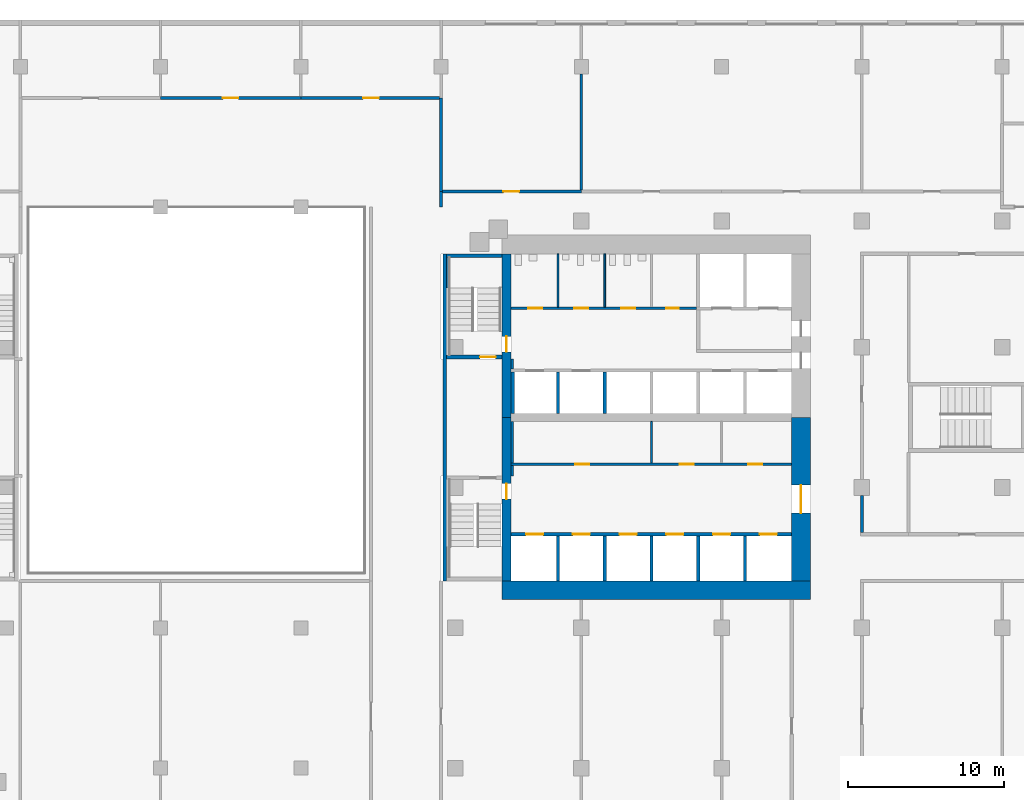
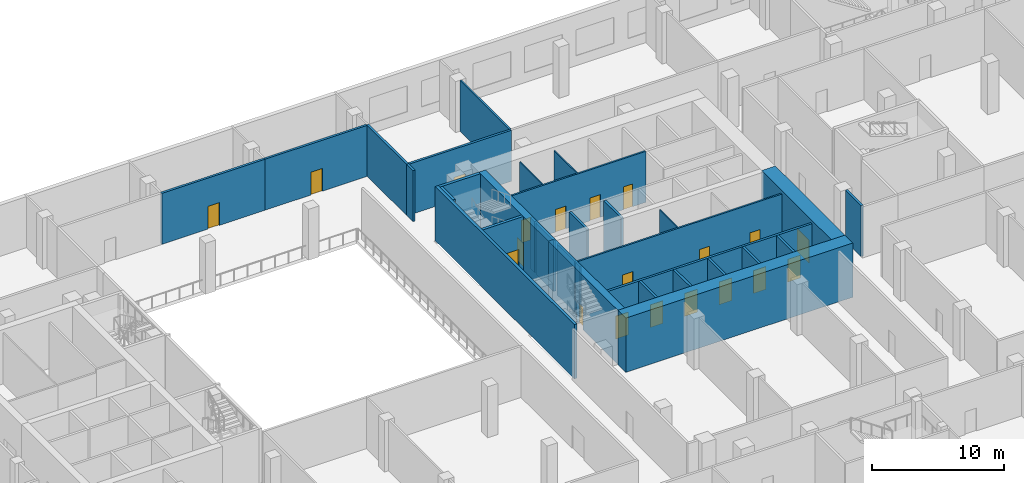
# One storey, part 10 of 21: 32 walls, 20 doors, 20 openings.
"""IFC4 building model written with IfcOpenShell, lengths in metres."""

from ifc_helpers import new_model, si_unit, direction, frame, frame_2d, origin, place, context, subcontext, project, spatial, rectangle, extrude, material, layer, layer_set, type_object, element, fill, save


model = new_model("IFC4")

# Units and contexts
model_context = context("Model", 3, precision=1e-05, world=origin(), true_north=direction((0.0, 1.0)))
body_context = subcontext(model_context, "Body", "Model", "MODEL_VIEW")
ifc_project = project(units=[si_unit("LENGTHUNIT", "METRE"), si_unit("AREAUNIT", "SQUARE_METRE"), si_unit("VOLUMEUNIT", "CUBIC_METRE"), si_unit("PLANEANGLEUNIT", "RADIAN"), si_unit("MASSUNIT", "GRAM", prefix="KILO")], contexts=[model_context])

# Site, building, storey
site_placement = place(None, origin())
site = spatial("IfcSite", under=ifc_project, at=site_placement, CompositionType="ELEMENT")
building_placement = place(site_placement, origin())
building = spatial("IfcBuilding", under=site, at=building_placement, Name="Cinnabar Reach Civic Tower", CompositionType="ELEMENT")
storey_placement = place(building_placement, frame((0.0, 0.0, 16.0)))
storey = spatial("IfcBuildingStorey", under=building, at=storey_placement, Name="L03", CompositionType="ELEMENT", Elevation=16.0)

# Wall
ifc_material_1 = material(Name="Concrete C70", Category="concrete")
ifc_layer_1 = layer(ifc_material_1, 1.2)
ifc_layer_set_1 = layer_set([ifc_layer_1], Name="Core wall 1200 EI 180")
wall_type_1 = type_object("IfcWallType", Name="Core wall 1200 EI 180", PredefinedType="SOLIDWALL", material=ifc_layer_set_1)
wall_1_placement = place(storey_placement, frame((3.9, 20.4, 0.0), z_axis=(0.0, 0.0, 1.0), x_axis=(1.0, 0.0, 0.0)))
element("IfcWall", 1, at=wall_1_placement, inside=storey, type_object=wall_type_1, Name="Core wall T1 L03 S", PredefinedType="SOLIDWALL", context=body_context, shape_type="SweptSolid", body=[
    extrude(rectangle(XDim=19.8, YDim=1.2, at=frame_2d((9.9, 0.0))), origin(), (0.0, 0.0, 1.0), 5.0),
])

# Wall, opening, door
wall_2_placement = place(storey_placement, frame((23.1, 21.0, 0.0), z_axis=(0.0, 0.0, 1.0), x_axis=(0.0, 1.0, 0.0)))
wall_2 = element("IfcWall", 2, at=wall_2_placement, inside=storey, type_object=wall_type_1, Name="Core wall T1 L03 E", PredefinedType="SOLIDWALL", context=body_context, shape_type="SweptSolid", body=[
    extrude(rectangle(XDim=10.5, YDim=1.2, at=frame_2d((5.25, 0.0))), origin(), (0.0, 0.0, 1.0), 5.0),
])
opening_1_placement = place(wall_2_placement, frame((4.35, 0.0, 0.0)))
opening_1 = element("IfcOpeningElement", 3, at=opening_1_placement, cuts=wall_2, Name="Opening D3154", PredefinedType="OPENING", context=body_context, shape_type="SweptSolid", body=[
    extrude(rectangle(XDim=1.8, YDim=2.1, at=frame_2d((0.9, 1.05))), frame((0.0, 0.61, 0.0), z_axis=(0.0, -1.0, 0.0), x_axis=(1.0, 0.0, 0.0)), (0.0, 0.0, 1.0), 1.22),
])
ifc_material_2 = material(Name="Timber door leaf in steel frame", Category="steel")
door_type_1 = type_object("IfcDoorType", Name="Double swing door 1800 x 2100 T1", OperationType="DOUBLE_DOOR_DOUBLE_SWING", PredefinedType="DOOR", material=ifc_material_2)
door_1_placement = place(opening_1_placement, origin())
door_1 = element("IfcDoor", 4, at=door_1_placement, inside=storey, type_object=door_type_1, Name="Door D3154", OperationType="DOUBLE_DOOR_DOUBLE_SWING", OverallHeight=2.1, OverallWidth=1.8, PredefinedType="DOOR", context=body_context, shape_type="SweptSolid", body=[
    extrude(rectangle(XDim=1.8, YDim=2.1, at=frame_2d((0.9, 1.05))), frame((0.0, 0.025, 0.0), z_axis=(0.0, -1.0, 0.0), x_axis=(1.0, 0.0, 0.0)), (0.0, 0.0, 1.0), 0.05),
])
fill(opening_1, door_1)

ifc_layer_2 = layer(ifc_material_1, 0.6)
ifc_layer_set_2 = layer_set([ifc_layer_2], Name="Core wall 600 EI 180")
wall_type_2 = type_object("IfcWallType", Name="Core wall 600 EI 180", PredefinedType="SOLIDWALL", material=ifc_layer_set_2)
wall_3_placement = place(storey_placement, frame((4.2, 42.0, 0.0), z_axis=(0.0, 0.0, 1.0), x_axis=(0.0, -1.0, 0.0)))
wall_3 = element("IfcWall", 5, at=wall_3_placement, inside=storey, type_object=wall_type_2, Name="Core wall T1 L03 W", PredefinedType="SOLIDWALL", context=body_context, shape_type="SweptSolid", body=[
    extrude(rectangle(XDim=10.5, YDim=0.6, at=frame_2d((5.25, 0.0))), origin(), (0.0, 0.0, 1.0), 5.0),
])
opening_2_placement = place(wall_3_placement, frame((5.3, 0.0, 0.0)))
opening_2 = element("IfcOpeningElement", 6, at=opening_2_placement, cuts=wall_3, Name="Opening D3140", PredefinedType="OPENING", context=body_context, shape_type="SweptSolid", body=[
    extrude(rectangle(XDim=1.0, YDim=2.1, at=frame_2d((0.5, 1.05))), frame((0.0, 0.31, 0.0), z_axis=(0.0, -1.0, 0.0), x_axis=(1.0, 0.0, 0.0)), (0.0, 0.0, 1.0), 0.62),
])
door_type_2 = type_object("IfcDoorType", Name="Stair door 1000 x 2100 T1", OperationType="SINGLE_SWING_LEFT", PredefinedType="DOOR", material=ifc_material_2)
door_2_placement = place(opening_2_placement, frame((1.0, 0.0, 0.0), z_axis=(0.0, 0.0, 1.0), x_axis=(-1.0, 0.0, 0.0)))
door_2 = element("IfcDoor", 7, at=door_2_placement, inside=storey, type_object=door_type_2, Name="Door D3140", OperationType="SINGLE_SWING_LEFT", OverallHeight=2.1, OverallWidth=1.0, PredefinedType="DOOR", context=body_context, shape_type="SweptSolid", body=[
    extrude(rectangle(XDim=1.0, YDim=2.1, at=frame_2d((0.5, 1.05))), frame((0.0, 0.025, 0.0), z_axis=(0.0, -1.0, 0.0), x_axis=(1.0, 0.0, 0.0)), (0.0, 0.0, 1.0), 0.05),
])
fill(opening_2, door_2)

wall_4_placement = place(storey_placement, frame((4.2, 31.5, 0.0), z_axis=(0.0, 0.0, 1.0), x_axis=(0.0, -1.0, 0.0)))
wall_4 = element("IfcWall", 8, at=wall_4_placement, inside=storey, type_object=wall_type_2, Name="Core wall T1 L03 W2", PredefinedType="SOLIDWALL", context=body_context, shape_type="SweptSolid", body=[
    extrude(rectangle(XDim=10.5, YDim=0.6, at=frame_2d((5.25, 0.0))), origin(), (0.0, 0.0, 1.0), 5.0),
])
opening_3_placement = place(wall_4_placement, frame((4.25, 0.0, 0.0)))
opening_3 = element("IfcOpeningElement", 9, at=opening_3_placement, cuts=wall_4, Name="Opening D3138", PredefinedType="OPENING", context=body_context, shape_type="SweptSolid", body=[
    extrude(rectangle(XDim=1.0, YDim=2.1, at=frame_2d((0.5, 1.05))), frame((0.0, 0.31, 0.0), z_axis=(0.0, -1.0, 0.0), x_axis=(1.0, 0.0, 0.0)), (0.0, 0.0, 1.0), 0.62),
])
door_3_placement = place(opening_3_placement, frame((1.0, 0.0, 0.0), z_axis=(0.0, 0.0, 1.0), x_axis=(-1.0, 0.0, 0.0)))
door_3 = element("IfcDoor", 10, at=door_3_placement, inside=storey, type_object=door_type_2, Name="Door D3138", OperationType="SINGLE_SWING_RIGHT", OverallHeight=2.1, OverallWidth=1.0, PredefinedType="DOOR", context=body_context, shape_type="SweptSolid", body=[
    extrude(rectangle(XDim=1.0, YDim=2.1, at=frame_2d((0.5, 1.05))), frame((0.0, 0.025, 0.0), z_axis=(0.0, -1.0, 0.0), x_axis=(1.0, 0.0, 0.0)), (0.0, 0.0, 1.0), 0.05),
])
fill(opening_3, door_3)

# Wall, openings, doors
ifc_material_3 = material(Name="Gypsum board on steel studs, double layer", Category="steel")
ifc_layer_3 = layer(ifc_material_3, 0.15)
ifc_layer_set_3 = layer_set([ifc_layer_3], Name="Corridor wall 150 T1")
wall_type_3 = type_object("IfcWallType", Name="Corridor wall 150 T1", PredefinedType="PARTITIONING", material=ifc_layer_set_3)
wall_5_placement = place(storey_placement, frame((4.5, 28.5, 0.0), z_axis=(0.0, 0.0, 1.0), x_axis=(1.0, 0.0, 0.0)))
wall_5 = element("IfcWall", 11, at=wall_5_placement, inside=storey, type_object=wall_type_3, Name="Corridor wall 19", PredefinedType="PARTITIONING", context=body_context, shape_type="SweptSolid", body=[
    extrude(rectangle(XDim=18.0, YDim=0.15, at=frame_2d((9.0, 0.0))), origin(), (0.0, 0.0, 1.0), 4.7),
])
opening_4_placement = place(wall_5_placement, frame((4.1, 0.0, 0.0)))
opening_4 = element("IfcOpeningElement", 12, at=opening_4_placement, cuts=wall_5, Name="Opening D3157", PredefinedType="OPENING", context=body_context, shape_type="SweptSolid", body=[
    extrude(rectangle(XDim=0.9, YDim=2.1, at=frame_2d((0.45, 1.05))), frame((0.0, 0.085, 0.0), z_axis=(0.0, -1.0, 0.0), x_axis=(1.0, 0.0, 0.0)), (0.0, 0.0, 1.0), 0.17),
])
opening_5_placement = place(wall_5_placement, frame((10.8, 0.0, 0.0)))
opening_5 = element("IfcOpeningElement", 13, at=opening_5_placement, cuts=wall_5, Name="Opening D3158", PredefinedType="OPENING", context=body_context, shape_type="SweptSolid", body=[
    extrude(rectangle(XDim=0.9, YDim=2.1, at=frame_2d((0.45, 1.05))), frame((0.0, 0.085, 0.0), z_axis=(0.0, -1.0, 0.0), x_axis=(1.0, 0.0, 0.0)), (0.0, 0.0, 1.0), 0.17),
])
opening_6_placement = place(wall_5_placement, frame((15.2, 0.0, 0.0)))
opening_6 = element("IfcOpeningElement", 14, at=opening_6_placement, cuts=wall_5, Name="Opening D3159", PredefinedType="OPENING", context=body_context, shape_type="SweptSolid", body=[
    extrude(rectangle(XDim=0.9, YDim=2.1, at=frame_2d((0.45, 1.05))), frame((0.0, 0.085, 0.0), z_axis=(0.0, -1.0, 0.0), x_axis=(1.0, 0.0, 0.0)), (0.0, 0.0, 1.0), 0.17),
])
door_type_3 = type_object("IfcDoorType", Name="Single swing door 900 x 2100 corridor T1", OperationType="SINGLE_SWING_LEFT", PredefinedType="DOOR", material=ifc_material_2)
door_4_placement = place(opening_4_placement, origin())
door_4 = element("IfcDoor", 15, at=door_4_placement, inside=storey, type_object=door_type_3, Name="Door D3157", OperationType="SINGLE_SWING_RIGHT", OverallHeight=2.1, OverallWidth=0.9, PredefinedType="DOOR", context=body_context, shape_type="SweptSolid", body=[
    extrude(rectangle(XDim=0.9, YDim=2.1, at=frame_2d((0.45, 1.05))), frame((0.0, 0.025, 0.0), z_axis=(0.0, -1.0, 0.0), x_axis=(1.0, 0.0, 0.0)), (0.0, 0.0, 1.0), 0.05),
])
fill(opening_4, door_4)
door_5_placement = place(opening_5_placement, origin())
door_5 = element("IfcDoor", 16, at=door_5_placement, inside=storey, type_object=door_type_3, Name="Door D3158", OperationType="SINGLE_SWING_LEFT", OverallHeight=2.1, OverallWidth=0.9, PredefinedType="DOOR", context=body_context, shape_type="SweptSolid", body=[
    extrude(rectangle(XDim=0.9, YDim=2.1, at=frame_2d((0.45, 1.05))), frame((0.0, 0.025, 0.0), z_axis=(0.0, -1.0, 0.0), x_axis=(1.0, 0.0, 0.0)), (0.0, 0.0, 1.0), 0.05),
])
fill(opening_5, door_5)
door_6_placement = place(opening_6_placement, origin())
door_6 = element("IfcDoor", 17, at=door_6_placement, inside=storey, type_object=door_type_3, Name="Door D3159", OperationType="SINGLE_SWING_RIGHT", OverallHeight=2.1, OverallWidth=0.9, PredefinedType="DOOR", context=body_context, shape_type="SweptSolid", body=[
    extrude(rectangle(XDim=0.9, YDim=2.1, at=frame_2d((0.45, 1.05))), frame((0.0, 0.025, 0.0), z_axis=(0.0, -1.0, 0.0), x_axis=(1.0, 0.0, 0.0)), (0.0, 0.0, 1.0), 0.05),
])
fill(opening_6, door_6)

wall_6_placement = place(storey_placement, frame((4.5, 38.5, 0.0), z_axis=(0.0, 0.0, 1.0), x_axis=(1.0, 0.0, 0.0)))
wall_6 = element("IfcWall", 18, at=wall_6_placement, inside=storey, type_object=wall_type_3, Name="Corridor wall 20", PredefinedType="PARTITIONING", context=body_context, shape_type="SweptSolid", body=[
    extrude(rectangle(XDim=11.9, YDim=0.15, at=frame_2d((5.95, 0.0))), origin(), (0.0, 0.0, 1.0), 4.7),
])
opening_7_placement = place(wall_6_placement, frame((1.1, 0.0, 0.0)))
opening_7 = element("IfcOpeningElement", 19, at=opening_7_placement, cuts=wall_6, Name="Opening D3160", PredefinedType="OPENING", context=body_context, shape_type="SweptSolid", body=[
    extrude(rectangle(XDim=0.9, YDim=2.1, at=frame_2d((0.45, 1.05))), frame((0.0, 0.085, 0.0), z_axis=(0.0, -1.0, 0.0), x_axis=(1.0, 0.0, 0.0)), (0.0, 0.0, 1.0), 0.17),
])
opening_8_placement = place(wall_6_placement, frame((4.05, 0.0, 0.0)))
opening_8 = element("IfcOpeningElement", 20, at=opening_8_placement, cuts=wall_6, Name="Opening D3161", PredefinedType="OPENING", context=body_context, shape_type="SweptSolid", body=[
    extrude(rectangle(XDim=0.9, YDim=2.1, at=frame_2d((0.45, 1.05))), frame((0.0, 0.085, 0.0), z_axis=(0.0, -1.0, 0.0), x_axis=(1.0, 0.0, 0.0)), (0.0, 0.0, 1.0), 0.17),
])
opening_9_placement = place(wall_6_placement, frame((7.05, 0.0, 0.0)))
opening_9 = element("IfcOpeningElement", 21, at=opening_9_placement, cuts=wall_6, Name="Opening D3162", PredefinedType="OPENING", context=body_context, shape_type="SweptSolid", body=[
    extrude(rectangle(XDim=0.9, YDim=2.1, at=frame_2d((0.45, 1.05))), frame((0.0, 0.085, 0.0), z_axis=(0.0, -1.0, 0.0), x_axis=(1.0, 0.0, 0.0)), (0.0, 0.0, 1.0), 0.17),
])
opening_10_placement = place(wall_6_placement, frame((9.95, 0.0, 0.0)))
opening_10 = element("IfcOpeningElement", 22, at=opening_10_placement, cuts=wall_6, Name="Opening D3163", PredefinedType="OPENING", context=body_context, shape_type="SweptSolid", body=[
    extrude(rectangle(XDim=0.8, YDim=2.1, at=frame_2d((0.4, 1.05))), frame((0.0, 0.085, 0.0), z_axis=(0.0, -1.0, 0.0), x_axis=(1.0, 0.0, 0.0)), (0.0, 0.0, 1.0), 0.17),
])
door_type_4 = type_object("IfcDoorType", Name="Riser access door 800 x 2100 T1", OperationType="SINGLE_SWING_LEFT", PredefinedType="DOOR", material=ifc_material_2)
door_7_placement = place(opening_10_placement, origin())
door_7 = element("IfcDoor", 23, at=door_7_placement, inside=storey, type_object=door_type_4, Name="Door D3163", OperationType="SINGLE_SWING_LEFT", OverallHeight=2.1, OverallWidth=0.8, PredefinedType="DOOR", context=body_context, shape_type="SweptSolid", body=[
    extrude(rectangle(XDim=0.8, YDim=2.1, at=frame_2d((0.4, 1.05))), frame((0.0, 0.025, 0.0), z_axis=(0.0, -1.0, 0.0), x_axis=(1.0, 0.0, 0.0)), (0.0, 0.0, 1.0), 0.05),
])
fill(opening_10, door_7)
door_8_placement = place(opening_7_placement, origin())
door_8 = element("IfcDoor", 24, at=door_8_placement, inside=storey, type_object=door_type_3, Name="Door D3160", OperationType="SINGLE_SWING_RIGHT", OverallHeight=2.1, OverallWidth=0.9, PredefinedType="DOOR", context=body_context, shape_type="SweptSolid", body=[
    extrude(rectangle(XDim=0.9, YDim=2.1, at=frame_2d((0.45, 1.05))), frame((0.0, 0.025, 0.0), z_axis=(0.0, -1.0, 0.0), x_axis=(1.0, 0.0, 0.0)), (0.0, 0.0, 1.0), 0.05),
])
fill(opening_7, door_8)
door_9_placement = place(opening_8_placement, origin())
door_9 = element("IfcDoor", 25, at=door_9_placement, inside=storey, type_object=door_type_3, Name="Door D3161", OperationType="SINGLE_SWING_LEFT", OverallHeight=2.1, OverallWidth=0.9, PredefinedType="DOOR", context=body_context, shape_type="SweptSolid", body=[
    extrude(rectangle(XDim=0.9, YDim=2.1, at=frame_2d((0.45, 1.05))), frame((0.0, 0.025, 0.0), z_axis=(0.0, -1.0, 0.0), x_axis=(1.0, 0.0, 0.0)), (0.0, 0.0, 1.0), 0.05),
])
fill(opening_8, door_9)
door_10_placement = place(opening_9_placement, origin())
door_10 = element("IfcDoor", 26, at=door_10_placement, inside=storey, type_object=door_type_3, Name="Door D3162", OperationType="SINGLE_SWING_RIGHT", OverallHeight=2.1, OverallWidth=0.9, PredefinedType="DOOR", context=body_context, shape_type="SweptSolid", body=[
    extrude(rectangle(XDim=0.9, YDim=2.1, at=frame_2d((0.45, 1.05))), frame((0.0, 0.025, 0.0), z_axis=(0.0, -1.0, 0.0), x_axis=(1.0, 0.0, 0.0)), (0.0, 0.0, 1.0), 0.05),
])
fill(opening_9, door_10)

# Walls
wall_7_placement = place(storey_placement, frame((4.575, 27.75, 0.0), z_axis=(0.0, 0.0, 1.0), x_axis=(0.0, 1.0, 0.0)))
element("IfcWall", 27, at=wall_7_placement, inside=storey, type_object=wall_type_3, Name="Corridor wall 21", PredefinedType="PARTITIONING", context=body_context, shape_type="SweptSolid", body=[
    extrude(rectangle(XDim=0.675, YDim=0.15, at=frame_2d((0.3375, 0.0))), origin(), (0.0, 0.0, 1.0), 4.7),
])
wall_8_placement = place(storey_placement, frame((4.575, 28.575, 0.0), z_axis=(0.0, 0.0, 1.0), x_axis=(0.0, 1.0, 0.0)))
element("IfcWall", 28, at=wall_8_placement, inside=storey, type_object=wall_type_3, Name="Corridor wall 22", PredefinedType="PARTITIONING", context=body_context, shape_type="SweptSolid", body=[
    extrude(rectangle(XDim=2.675, YDim=0.15, at=frame_2d((1.3375, 0.0))), origin(), (0.0, 0.0, 1.0), 4.7),
])
wall_9_placement = place(storey_placement, frame((4.575, 34.6, 0.0), z_axis=(0.0, 0.0, 1.0), x_axis=(0.0, 1.0, 0.0)))
element("IfcWall", 29, at=wall_9_placement, inside=storey, type_object=wall_type_3, Name="Corridor wall 23", PredefinedType="PARTITIONING", context=body_context, shape_type="SweptSolid", body=[
    extrude(rectangle(XDim=0.65, YDim=0.15, at=frame_2d((0.325, 0.0))), origin(), (0.0, 0.0, 1.0), 4.7),
])

# Wall, openings, doors
ifc_material_4 = material(Name="Blockwork", Category="masonry")
ifc_layer_4 = layer(ifc_material_4, 0.2)
ifc_layer_set_4 = layer_set([ifc_layer_4], Name="Lift shaft wall 200 T1")
wall_type_4 = type_object("IfcWallType", Name="Lift shaft wall 200 T1", PredefinedType="PARTITIONING", material=ifc_layer_set_4)
wall_10_placement = place(storey_placement, frame((4.5, 24.0, 0.0), z_axis=(0.0, 0.0, 1.0), x_axis=(1.0, 0.0, 0.0)))
wall_10 = element("IfcWall", 30, at=wall_10_placement, inside=storey, type_object=wall_type_4, Name="Lift shaft wall 4", PredefinedType="PARTITIONING", context=body_context, shape_type="SweptSolid", body=[
    extrude(rectangle(XDim=18.0, YDim=0.2, at=frame_2d((9.0, 0.0))), origin(), (0.0, 0.0, 1.0), 4.7),
])
opening_11_placement = place(wall_10_placement, frame((0.95, 0.0, 0.0)))
opening_11 = element("IfcOpeningElement", 31, at=opening_11_placement, cuts=wall_10, Name="Opening D3142", PredefinedType="OPENING", context=body_context, shape_type="SweptSolid", body=[
    extrude(rectangle(XDim=1.1, YDim=2.1, at=frame_2d((0.55, 1.05))), frame((0.0, 0.11, 0.0), z_axis=(0.0, -1.0, 0.0), x_axis=(1.0, 0.0, 0.0)), (0.0, 0.0, 1.0), 0.22),
])
opening_12_placement = place(wall_10_placement, frame((3.95, 0.0, 0.0)))
opening_12 = element("IfcOpeningElement", 32, at=opening_12_placement, cuts=wall_10, Name="Opening D3143", PredefinedType="OPENING", context=body_context, shape_type="SweptSolid", body=[
    extrude(rectangle(XDim=1.1, YDim=2.1, at=frame_2d((0.55, 1.05))), frame((0.0, 0.11, 0.0), z_axis=(0.0, -1.0, 0.0), x_axis=(1.0, 0.0, 0.0)), (0.0, 0.0, 1.0), 0.22),
])
opening_13_placement = place(wall_10_placement, frame((6.95, 0.0, 0.0)))
opening_13 = element("IfcOpeningElement", 33, at=opening_13_placement, cuts=wall_10, Name="Opening D3144", PredefinedType="OPENING", context=body_context, shape_type="SweptSolid", body=[
    extrude(rectangle(XDim=1.1, YDim=2.1, at=frame_2d((0.55, 1.05))), frame((0.0, 0.11, 0.0), z_axis=(0.0, -1.0, 0.0), x_axis=(1.0, 0.0, 0.0)), (0.0, 0.0, 1.0), 0.22),
])
opening_14_placement = place(wall_10_placement, frame((9.95, 0.0, 0.0)))
opening_14 = element("IfcOpeningElement", 34, at=opening_14_placement, cuts=wall_10, Name="Opening D3145", PredefinedType="OPENING", context=body_context, shape_type="SweptSolid", body=[
    extrude(rectangle(XDim=1.1, YDim=2.1, at=frame_2d((0.55, 1.05))), frame((0.0, 0.11, 0.0), z_axis=(0.0, -1.0, 0.0), x_axis=(1.0, 0.0, 0.0)), (0.0, 0.0, 1.0), 0.22),
])
opening_15_placement = place(wall_10_placement, frame((12.95, 0.0, 0.0)))
opening_15 = element("IfcOpeningElement", 35, at=opening_15_placement, cuts=wall_10, Name="Opening D3146", PredefinedType="OPENING", context=body_context, shape_type="SweptSolid", body=[
    extrude(rectangle(XDim=1.1, YDim=2.1, at=frame_2d((0.55, 1.05))), frame((0.0, 0.11, 0.0), z_axis=(0.0, -1.0, 0.0), x_axis=(1.0, 0.0, 0.0)), (0.0, 0.0, 1.0), 0.22),
])
opening_16_placement = place(wall_10_placement, frame((15.95, 0.0, 0.0)))
opening_16 = element("IfcOpeningElement", 36, at=opening_16_placement, cuts=wall_10, Name="Opening D3147", PredefinedType="OPENING", context=body_context, shape_type="SweptSolid", body=[
    extrude(rectangle(XDim=1.1, YDim=2.1, at=frame_2d((0.55, 1.05))), frame((0.0, 0.11, 0.0), z_axis=(0.0, -1.0, 0.0), x_axis=(1.0, 0.0, 0.0)), (0.0, 0.0, 1.0), 0.22),
])
ifc_material_5 = material(Name="Stainless steel sliding door", Category="steel")
door_type_5 = type_object("IfcDoorType", Name="Lift landing door 1100 x 2100 T1", OperationType="SLIDING_TO_LEFT", PredefinedType="DOOR", material=ifc_material_5)
door_11_placement = place(opening_11_placement, origin())
door_11 = element("IfcDoor", 37, at=door_11_placement, inside=storey, type_object=door_type_5, Name="Lift landing door LR1 L03", OperationType="SLIDING_TO_LEFT", OverallHeight=2.1, OverallWidth=1.1, PredefinedType="DOOR", context=body_context, shape_type="SweptSolid", body=[
    extrude(rectangle(XDim=1.1, YDim=2.1, at=frame_2d((0.55, 1.05))), frame((0.0, 0.025, 0.0), z_axis=(0.0, -1.0, 0.0), x_axis=(1.0, 0.0, 0.0)), (0.0, 0.0, 1.0), 0.05),
])
fill(opening_11, door_11)
door_12_placement = place(opening_12_placement, origin())
door_12 = element("IfcDoor", 38, at=door_12_placement, inside=storey, type_object=door_type_5, Name="Lift landing door LR2 L03", OperationType="SLIDING_TO_LEFT", OverallHeight=2.1, OverallWidth=1.1, PredefinedType="DOOR", context=body_context, shape_type="SweptSolid", body=[
    extrude(rectangle(XDim=1.1, YDim=2.1, at=frame_2d((0.55, 1.05))), frame((0.0, 0.025, 0.0), z_axis=(0.0, -1.0, 0.0), x_axis=(1.0, 0.0, 0.0)), (0.0, 0.0, 1.0), 0.05),
])
fill(opening_12, door_12)
door_13_placement = place(opening_13_placement, origin())
door_13 = element("IfcDoor", 39, at=door_13_placement, inside=storey, type_object=door_type_5, Name="Lift landing door LR3 L03", OperationType="SLIDING_TO_LEFT", OverallHeight=2.1, OverallWidth=1.1, PredefinedType="DOOR", context=body_context, shape_type="SweptSolid", body=[
    extrude(rectangle(XDim=1.1, YDim=2.1, at=frame_2d((0.55, 1.05))), frame((0.0, 0.025, 0.0), z_axis=(0.0, -1.0, 0.0), x_axis=(1.0, 0.0, 0.0)), (0.0, 0.0, 1.0), 0.05),
])
fill(opening_13, door_13)
door_14_placement = place(opening_14_placement, origin())
door_14 = element("IfcDoor", 40, at=door_14_placement, inside=storey, type_object=door_type_5, Name="Lift landing door LR4 L03", OperationType="SLIDING_TO_LEFT", OverallHeight=2.1, OverallWidth=1.1, PredefinedType="DOOR", context=body_context, shape_type="SweptSolid", body=[
    extrude(rectangle(XDim=1.1, YDim=2.1, at=frame_2d((0.55, 1.05))), frame((0.0, 0.025, 0.0), z_axis=(0.0, -1.0, 0.0), x_axis=(1.0, 0.0, 0.0)), (0.0, 0.0, 1.0), 0.05),
])
fill(opening_14, door_14)
door_15_placement = place(opening_15_placement, origin())
door_15 = element("IfcDoor", 41, at=door_15_placement, inside=storey, type_object=door_type_5, Name="Lift landing door LR5 L03", OperationType="SLIDING_TO_LEFT", OverallHeight=2.1, OverallWidth=1.1, PredefinedType="DOOR", context=body_context, shape_type="SweptSolid", body=[
    extrude(rectangle(XDim=1.1, YDim=2.1, at=frame_2d((0.55, 1.05))), frame((0.0, 0.025, 0.0), z_axis=(0.0, -1.0, 0.0), x_axis=(1.0, 0.0, 0.0)), (0.0, 0.0, 1.0), 0.05),
])
fill(opening_15, door_15)
door_16_placement = place(opening_16_placement, origin())
door_16 = element("IfcDoor", 42, at=door_16_placement, inside=storey, type_object=door_type_5, Name="Lift landing door LR6 L03", OperationType="SLIDING_TO_LEFT", OverallHeight=2.1, OverallWidth=1.1, PredefinedType="DOOR", context=body_context, shape_type="SweptSolid", body=[
    extrude(rectangle(XDim=1.1, YDim=2.1, at=frame_2d((0.55, 1.05))), frame((0.0, 0.025, 0.0), z_axis=(0.0, -1.0, 0.0), x_axis=(1.0, 0.0, 0.0)), (0.0, 0.0, 1.0), 0.05),
])
fill(opening_16, door_16)

# Walls
wall_11_placement = place(storey_placement, frame((4.6, 31.75, 0.0), z_axis=(0.0, 0.0, 1.0), x_axis=(0.0, 1.0, 0.0)))
element("IfcWall", 43, at=wall_11_placement, inside=storey, type_object=wall_type_4, Name="Lift shaft wall 8", PredefinedType="PARTITIONING", context=body_context, shape_type="SweptSolid", body=[
    extrude(rectangle(XDim=2.65, YDim=0.2, at=frame_2d((1.325, 0.0))), origin(), (0.0, 0.0, 1.0), 4.7),
])
wall_12_placement = place(storey_placement, frame((7.5, 21.0, 0.0), z_axis=(0.0, 0.0, 1.0), x_axis=(0.0, 1.0, 0.0)))
element("IfcWall", 44, at=wall_12_placement, inside=storey, type_object=wall_type_4, Name="Lift shaft wall 9", PredefinedType="PARTITIONING", context=body_context, shape_type="SweptSolid", body=[
    extrude(rectangle(XDim=2.9, YDim=0.2, at=frame_2d((1.45, 0.0))), origin(), (0.0, 0.0, 1.0), 4.7),
])
wall_13_placement = place(storey_placement, frame((7.5, 31.75, 0.0), z_axis=(0.0, 0.0, 1.0), x_axis=(0.0, 1.0, 0.0)))
element("IfcWall", 45, at=wall_13_placement, inside=storey, type_object=wall_type_4, Name="Lift shaft wall 10", PredefinedType="PARTITIONING", context=body_context, shape_type="SweptSolid", body=[
    extrude(rectangle(XDim=2.65, YDim=0.2, at=frame_2d((1.325, 0.0))), origin(), (0.0, 0.0, 1.0), 4.7),
])
wall_14_placement = place(storey_placement, frame((10.5, 21.0, 0.0), z_axis=(0.0, 0.0, 1.0), x_axis=(0.0, 1.0, 0.0)))
element("IfcWall", 46, at=wall_14_placement, inside=storey, type_object=wall_type_4, Name="Lift shaft wall 11", PredefinedType="PARTITIONING", context=body_context, shape_type="SweptSolid", body=[
    extrude(rectangle(XDim=2.9, YDim=0.2, at=frame_2d((1.45, 0.0))), origin(), (0.0, 0.0, 1.0), 4.7),
])
wall_15_placement = place(storey_placement, frame((10.5, 31.75, 0.0), z_axis=(0.0, 0.0, 1.0), x_axis=(0.0, 1.0, 0.0)))
element("IfcWall", 47, at=wall_15_placement, inside=storey, type_object=wall_type_4, Name="Lift shaft wall 12", PredefinedType="PARTITIONING", context=body_context, shape_type="SweptSolid", body=[
    extrude(rectangle(XDim=2.65, YDim=0.2, at=frame_2d((1.325, 0.0))), origin(), (0.0, 0.0, 1.0), 4.7),
])
for number, where, z_axis, x_axis, name in (
    (48, (13.5, 21.0, 0.0), (0.0, 0.0, 1.0), (0.0, 1.0, 0.0), "Lift shaft wall 13"),
    (49, (16.5, 21.0, 0.0), (0.0, 0.0, 1.0), (0.0, 1.0, 0.0), "Lift shaft wall 15"),
    (50, (19.5, 21.0, 0.0), (0.0, 0.0, 1.0), (0.0, 1.0, 0.0), "Lift shaft wall 17"),
):
    element("IfcWall", number, at=place(storey_placement, frame(where, z_axis=z_axis, x_axis=x_axis)), inside=storey, type_object=wall_type_4, Name=name, PredefinedType="PARTITIONING", context=body_context, shape_type="SweptSolid", body=[
        extrude(rectangle(XDim=2.9, YDim=0.2, at=frame_2d((1.45, 0.0))), origin(), (0.0, 0.0, 1.0), 4.7),
    ])
ifc_material_6 = material(Name="Gypsum board on steel studs", Category="steel")
ifc_layer_5 = layer(ifc_material_6, 0.1)
ifc_layer_set_5 = layer_set([ifc_layer_5], Name="Partition wall 100 T1")
wall_type_5 = type_object("IfcWallType", Name="Partition wall 100 T1", PredefinedType="PARTITIONING", material=ifc_layer_set_5)
for number, where, z_axis, x_axis, name in (
    (51, (7.5, 38.575, 0.0), (0.0, 0.0, 1.0), (0.0, 1.0, 0.0), "Partition wall 25"),
    (52, (10.5, 38.575, 0.0), (0.0, 0.0, 1.0), (0.0, 1.0, 0.0), "Partition wall 26"),
):
    element("IfcWall", number, at=place(storey_placement, frame(where, z_axis=z_axis, x_axis=x_axis)), inside=storey, type_object=wall_type_5, Name=name, PredefinedType="PARTITIONING", context=body_context, shape_type="SweptSolid", body=[
        extrude(rectangle(XDim=3.425, YDim=0.1, at=frame_2d((1.7125, 0.0))), origin(), (0.0, 0.0, 1.0), 4.7),
    ])
wall_16_placement = place(storey_placement, frame((13.5, 28.575, 0.0), z_axis=(0.0, 0.0, 1.0), x_axis=(0.0, 1.0, 0.0)))
element("IfcWall", 53, at=wall_16_placement, inside=storey, type_object=wall_type_5, Name="Partition wall 27", PredefinedType="PARTITIONING", context=body_context, shape_type="SweptSolid", body=[
    extrude(rectangle(XDim=2.675, YDim=0.1, at=frame_2d((1.3375, 0.0))), origin(), (0.0, 0.0, 1.0), 4.7),
])
ifc_material_7 = material(Name="Concrete blockwork", Category="masonry")
ifc_layer_6 = layer(ifc_material_7, 0.2)
ifc_layer_set_6 = layer_set([ifc_layer_6], Name="Podium masonry corridor wall 200 EI 120")
wall_type_6 = type_object("IfcWallType", Name="Podium masonry corridor wall 200 EI 120", PredefinedType="PARTITIONING", material=ifc_layer_set_6)
wall_17_placement = place(storey_placement, frame((0.0, 45.0, 0.0), z_axis=(0.0, 0.0, 1.0), x_axis=(0.0, 1.0, 0.0)))
element("IfcWall", 54, at=wall_17_placement, inside=storey, type_object=wall_type_6, Name="Wall L03 94", PredefinedType="PARTITIONING", context=body_context, shape_type="SweptSolid", body=[
    extrude(rectangle(XDim=1.0, YDim=0.2, at=frame_2d((0.5, 0.0))), origin(), (0.0, 0.0, 1.0), 4.7),
])

# Wall, opening, door
wall_18_placement = place(storey_placement, frame((0.1, 46.0, 0.0), z_axis=(0.0, 0.0, 1.0), x_axis=(1.0, 0.0, 0.0)))
wall_18 = element("IfcWall", 55, at=wall_18_placement, inside=storey, type_object=wall_type_6, Name="Wall L03 100", PredefinedType="PARTITIONING", context=body_context, shape_type="SweptSolid", body=[
    extrude(rectangle(XDim=8.9, YDim=0.2, at=frame_2d((4.45, 0.0))), origin(), (0.0, 0.0, 1.0), 4.7),
])
opening_17_placement = place(wall_18_placement, frame((3.9, 0.0, 0.0)))
opening_17 = element("IfcOpeningElement", 56, at=opening_17_placement, cuts=wall_18, Name="Opening D1208", PredefinedType="OPENING", context=body_context, shape_type="SweptSolid", body=[
    extrude(rectangle(XDim=1.0, YDim=2.1, at=frame_2d((0.5, 1.05))), frame((0.0, 0.11, 0.0), z_axis=(0.0, -1.0, 0.0), x_axis=(1.0, 0.0, 0.0)), (0.0, 0.0, 1.0), 0.22),
])
ifc_material_8 = material(Name="Painted steel door leaf", Category="steel")
door_type_6 = type_object("IfcDoorType", Name="Podium single door 1000x2100", OperationType="SINGLE_SWING_LEFT", PredefinedType="DOOR", material=ifc_material_8)
door_17_placement = place(opening_17_placement, frame((1.0, 0.0, 0.0), z_axis=(0.0, 0.0, 1.0), x_axis=(-1.0, 0.0, 0.0)))
door_17 = element("IfcDoor", 57, at=door_17_placement, inside=storey, type_object=door_type_6, Name="Door D1208", OperationType="SINGLE_SWING_RIGHT", OverallHeight=2.1, OverallWidth=1.0, PredefinedType="DOOR", context=body_context, shape_type="SweptSolid", body=[
    extrude(rectangle(XDim=1.0, YDim=2.1, at=frame_2d((0.5, 1.05))), frame((0.0, 0.025, 0.0), z_axis=(0.0, -1.0, 0.0), x_axis=(1.0, 0.0, 0.0)), (0.0, 0.0, 1.0), 0.05),
])
fill(opening_17, door_17)

# Wall
wall_19_placement = place(storey_placement, frame((27.0, 24.1, 0.0), z_axis=(0.0, 0.0, 1.0), x_axis=(0.0, 1.0, 0.0)))
element("IfcWall", 58, at=wall_19_placement, inside=storey, type_object=wall_type_6, Name="Wall L03 109", PredefinedType="PARTITIONING", context=body_context, shape_type="SweptSolid", body=[
    extrude(rectangle(XDim=2.38, YDim=0.2, at=frame_2d((1.19, 0.0))), origin(), (0.0, 0.0, 1.0), 4.7),
])

# Wall, opening, door
wall_20_placement = place(storey_placement, frame((-18.0, 52.0, 0.0), z_axis=(0.0, 0.0, 1.0), x_axis=(1.0, 0.0, 0.0)))
wall_20 = element("IfcWall", 59, at=wall_20_placement, inside=storey, type_object=wall_type_6, Name="Wall L03 132", PredefinedType="PARTITIONING", context=body_context, shape_type="SweptSolid", body=[
    extrude(rectangle(XDim=9.0, YDim=0.2, at=frame_2d((4.5, 0.0))), origin(), (0.0, 0.0, 1.0), 4.7),
])
opening_18_placement = place(wall_20_placement, frame((4.0, 0.0, 0.0)))
opening_18 = element("IfcOpeningElement", 60, at=opening_18_placement, cuts=wall_20, Name="Opening D1163", PredefinedType="OPENING", context=body_context, shape_type="SweptSolid", body=[
    extrude(rectangle(XDim=1.0, YDim=2.1, at=frame_2d((0.5, 1.05))), frame((0.0, 0.11, 0.0), z_axis=(0.0, -1.0, 0.0), x_axis=(1.0, 0.0, 0.0)), (0.0, 0.0, 1.0), 0.22),
])
door_18_placement = place(opening_18_placement, origin())
door_18 = element("IfcDoor", 61, at=door_18_placement, inside=storey, type_object=door_type_6, Name="Door D1163", OperationType="SINGLE_SWING_RIGHT", OverallHeight=2.1, OverallWidth=1.0, PredefinedType="DOOR", context=body_context, shape_type="SweptSolid", body=[
    extrude(rectangle(XDim=1.0, YDim=2.1, at=frame_2d((0.5, 1.05))), frame((0.0, 0.025, 0.0), z_axis=(0.0, -1.0, 0.0), x_axis=(1.0, 0.0, 0.0)), (0.0, 0.0, 1.0), 0.05),
])
fill(opening_18, door_18)

wall_21_placement = place(storey_placement, frame((-9.0, 52.0, 0.0), z_axis=(0.0, 0.0, 1.0), x_axis=(1.0, 0.0, 0.0)))
wall_21 = element("IfcWall", 62, at=wall_21_placement, inside=storey, type_object=wall_type_6, Name="Wall L03 133", PredefinedType="PARTITIONING", context=body_context, shape_type="SweptSolid", body=[
    extrude(rectangle(XDim=8.9, YDim=0.2, at=frame_2d((4.45, 0.0))), origin(), (0.0, 0.0, 1.0), 4.7),
])
opening_19_placement = place(wall_21_placement, frame((4.0, 0.0, 0.0)))
opening_19 = element("IfcOpeningElement", 63, at=opening_19_placement, cuts=wall_21, Name="Opening D1164", PredefinedType="OPENING", context=body_context, shape_type="SweptSolid", body=[
    extrude(rectangle(XDim=1.0, YDim=2.1, at=frame_2d((0.5, 1.05))), frame((0.0, 0.11, 0.0), z_axis=(0.0, -1.0, 0.0), x_axis=(1.0, 0.0, 0.0)), (0.0, 0.0, 1.0), 0.22),
])
door_19_placement = place(opening_19_placement, origin())
door_19 = element("IfcDoor", 64, at=door_19_placement, inside=storey, type_object=door_type_6, Name="Door D1164", OperationType="SINGLE_SWING_RIGHT", OverallHeight=2.1, OverallWidth=1.0, PredefinedType="DOOR", context=body_context, shape_type="SweptSolid", body=[
    extrude(rectangle(XDim=1.0, YDim=2.1, at=frame_2d((0.5, 1.05))), frame((0.0, 0.025, 0.0), z_axis=(0.0, -1.0, 0.0), x_axis=(1.0, 0.0, 0.0)), (0.0, 0.0, 1.0), 0.05),
])
fill(opening_19, door_19)

# Walls
wall_22_placement = place(storey_placement, frame((0.0, 46.0, 0.0), z_axis=(0.0, 0.0, 1.0), x_axis=(0.0, 1.0, 0.0)))
element("IfcWall", 65, at=wall_22_placement, inside=storey, type_object=wall_type_6, Name="Wall L03 135", PredefinedType="PARTITIONING", context=body_context, shape_type="SweptSolid", body=[
    extrude(rectangle(XDim=6.0, YDim=0.2, at=frame_2d((3.0, 0.0))), origin(), (0.0, 0.0, 1.0), 4.7),
])
ifc_layer_7 = layer(ifc_material_6, 0.15)
ifc_layer_set_7 = layer_set([ifc_layer_7], Name="Podium partition wall 150 EI 90")
wall_type_7 = type_object("IfcWallType", Name="Podium partition wall 150 EI 90", PredefinedType="PARTITIONING", material=ifc_layer_set_7)
wall_23_placement = place(storey_placement, frame((9.0, 46.1, 0.0), z_axis=(0.0, 0.0, 1.0), x_axis=(0.0, 1.0, 0.0)))
element("IfcWall", 66, at=wall_23_placement, inside=storey, type_object=wall_type_7, Name="Wall L03 218", PredefinedType="PARTITIONING", context=body_context, shape_type="SweptSolid", body=[
    extrude(rectangle(XDim=7.43, YDim=0.15, at=frame_2d((3.715, 0.0))), origin(), (0.0, 0.0, 1.0), 4.7),
])

# Wall, opening, door
ifc_material_9 = material(Name="Concrete C60", Category="concrete")
ifc_layer_8 = layer(ifc_material_9, 0.25)
ifc_layer_set_8 = layer_set([ifc_layer_8], Name="Stair shaft wall 250 EI 120")
wall_type_8 = type_object("IfcWallType", Name="Stair shaft wall 250 EI 120", PredefinedType="SOLIDWALL", material=ifc_layer_set_8)
wall_24_placement = place(storey_placement, frame((0.36, 35.375, 0.0), z_axis=(0.0, 0.0, 1.0), x_axis=(1.0, 0.0, 0.0)))
wall_24 = element("IfcWall", 67, at=wall_24_placement, inside=storey, type_object=wall_type_8, Name="Stair shaft wall T1-S2 L03", PredefinedType="SOLIDWALL", context=body_context, shape_type="SweptSolid", body=[
    extrude(rectangle(XDim=3.54, YDim=0.25, at=frame_2d((1.77, 0.0))), origin(), (0.0, 0.0, 1.0), 5.0),
])
opening_20_placement = place(wall_24_placement, frame((2.14, 0.0, 0.0)))
opening_20 = element("IfcOpeningElement", 68, at=opening_20_placement, cuts=wall_24, Name="Opening D3141", PredefinedType="OPENING", context=body_context, shape_type="SweptSolid", body=[
    extrude(rectangle(XDim=1.0, YDim=2.1, at=frame_2d((0.5, 1.05))), frame((0.0, 0.135, 0.0), z_axis=(0.0, -1.0, 0.0), x_axis=(1.0, 0.0, 0.0)), (0.0, 0.0, 1.0), 0.27),
])
door_20_placement = place(opening_20_placement, origin())
door_20 = element("IfcDoor", 69, at=door_20_placement, inside=storey, type_object=door_type_2, Name="Door D3141", OperationType="SINGLE_SWING_RIGHT", OverallHeight=2.1, OverallWidth=1.0, PredefinedType="DOOR", context=body_context, shape_type="SweptSolid", body=[
    extrude(rectangle(XDim=1.0, YDim=2.1, at=frame_2d((0.5, 1.05))), frame((0.0, 0.025, 0.0), z_axis=(0.0, -1.0, 0.0), x_axis=(1.0, 0.0, 0.0)), (0.0, 0.0, 1.0), 0.05),
])
fill(opening_20, door_20)

# Walls
wall_25_placement = place(storey_placement, frame((3.9, 41.875, 0.0), z_axis=(0.0, 0.0, 1.0), x_axis=(-1.0, 0.0, 0.0)))
element("IfcWall", 70, at=wall_25_placement, inside=storey, type_object=wall_type_8, Name="Stair shaft wall T1-S2 L03", PredefinedType="SOLIDWALL", context=body_context, shape_type="SweptSolid", body=[
    extrude(rectangle(XDim=3.54, YDim=0.25, at=frame_2d((1.77, 0.0))), origin(), (0.0, 0.0, 1.0), 5.0),
])
wall_26_placement = place(storey_placement, frame((0.235, 21.0, 0.0), z_axis=(0.0, 0.0, 1.0), x_axis=(0.0, 1.0, 0.0)))
element("IfcWall", 71, at=wall_26_placement, inside=storey, type_object=wall_type_8, Name="Stair shaft wall T1-STRIP L03", PredefinedType="SOLIDWALL", context=body_context, shape_type="SweptSolid", body=[
    extrude(rectangle(XDim=21.0, YDim=0.25, at=frame_2d((10.5, 0.0))), origin(), (0.0, 0.0, 1.0), 5.0),
])
ifc_material_10 = material(Name="Concrete C40/50", Category="concrete")
ifc_layer_9 = layer(ifc_material_10, 0.24)
ifc_layer_set_9 = layer_set([ifc_layer_9], Name="T1 landing bearer wall 240")
wall_type_9 = type_object("IfcWallType", Name="T1 landing bearer wall 240", PredefinedType="STANDARD", material=ifc_layer_set_9)
wall_27_placement = place(storey_placement, frame((0.48, 39.795, 0.0), z_axis=(0.0, 0.0, 1.0), x_axis=(0.0, 1.0, 0.0)))
element("IfcWall", 72, at=wall_27_placement, inside=storey, type_object=wall_type_9, Name="T1-S2 landing bearer wall", PredefinedType="STANDARD", context=body_context, shape_type="SweptSolid", body=[
    extrude(rectangle(XDim=1.955, YDim=0.24, at=frame_2d((0.9775, 0.0))), origin(), (0.0, 0.0, 1.0), 5.0),
])

save(model, "model.ifc")
